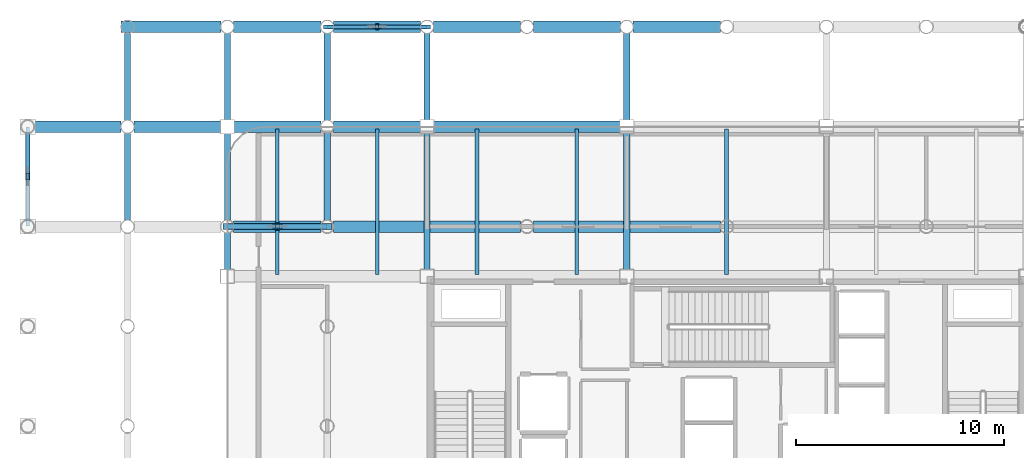
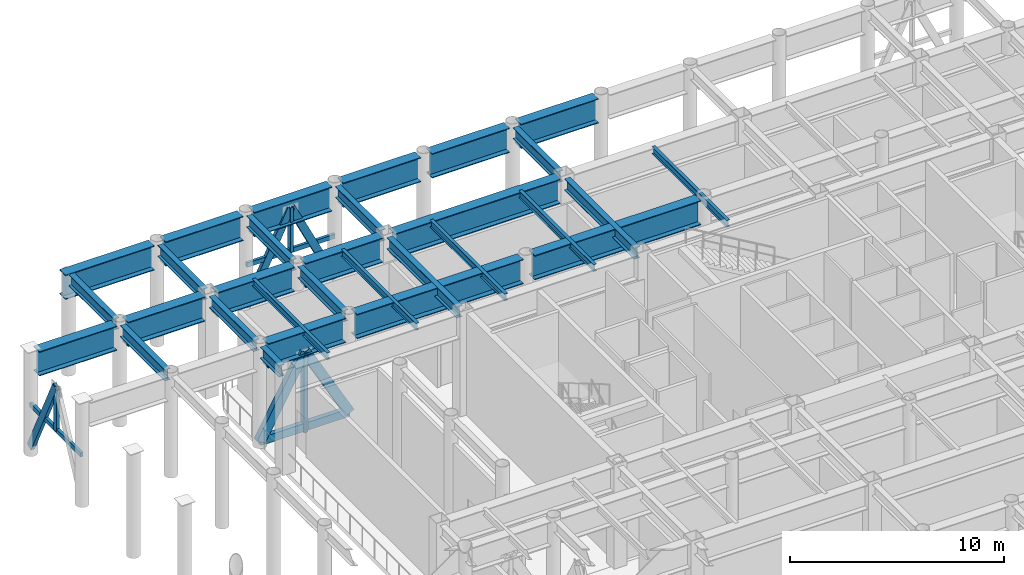
# One storey, part 9 of 20: 30 beams, 11 members.
"""IFC4 building model written with IfcOpenShell, lengths in metres."""

from ifc_helpers import new_model, si_unit, direction, frame, origin, origin_2d, place, context, subcontext, project, spatial, hollow_rectangle, i_section, extrude, material, material_profile, profile_set, type_object, element, save


model = new_model("IFC4")

# Units and contexts
model_context = context("Model", 3, precision=1e-05, world=origin(), true_north=direction((0.0, 1.0)))
body_context = subcontext(model_context, "Body", "Model", "MODEL_VIEW")
ifc_project = project(units=[si_unit("LENGTHUNIT", "METRE"), si_unit("AREAUNIT", "SQUARE_METRE"), si_unit("VOLUMEUNIT", "CUBIC_METRE"), si_unit("PLANEANGLEUNIT", "RADIAN"), si_unit("MASSUNIT", "GRAM", prefix="KILO")], contexts=[model_context])

# Site, building, storey
site_placement = place(None, origin())
site = spatial("IfcSite", under=ifc_project, at=site_placement, CompositionType="ELEMENT")
building_placement = place(site_placement, origin())
building = spatial("IfcBuilding", under=site, at=building_placement, Name="Kallvorn Hotel Tower", CompositionType="ELEMENT")
storey_placement = place(building_placement, frame((0.0, 0.0, 185.5)))
storey = spatial("IfcBuildingStorey", under=building, at=storey_placement, Name="L46", CompositionType="ELEMENT", Elevation=185.5)

# Beams
ifc_material_1 = material(Name="Structural steel S355JR", Category="steel")
ifc_material_profile_1 = material_profile(ifc_material_1, i_section(OverallWidth=0.300048828125, OverallDepth=0.64990234375, WebThickness=0.01611328125, FlangeThickness=0.031005859375, at=origin_2d()), Name="HE 650 B")
ifc_profile_set_1 = profile_set([ifc_material_profile_1], Name="Structural steel S355JR")
beam_type_1 = type_object("IfcBeamType", Name="BM_HE650B", PredefinedType="BEAM", material=ifc_profile_set_1)
for number, where, z_axis, x_axis, name in (
    (1, (-28.800048828125, 9.905029296875, 5.4951171875), (0.0, 1.0, 0.0), (-1.0, 0.0, 0.0), "L47 Primary Y-Girder 89"),
    (2, (-28.800048828125, 14.705078125, 5.4951171875), (0.0, 1.0, 0.0), (-1.0, 0.0, 0.0), "L47 Primary Y-Girder 90"),
):
    element("IfcBeam", number, at=place(storey_placement, frame(where, z_axis=z_axis, x_axis=x_axis)), inside=storey, type_object=beam_type_1, Name=name, PredefinedType="BEAM", context=body_context, shape_type="SweptSolid", body=[
        extrude(i_section(OverallWidth=0.300048828125, OverallDepth=0.64990234375, WebThickness=0.01611328125, FlangeThickness=0.031005859375, at=origin_2d()), origin(), (0.0, 0.0, 1.0), 4.18994140625),
    ])
beam_1_placement = place(storey_placement, frame((-24.0, 7.52490234375, 5.4951171875), z_axis=(0.0, 1.0, 0.0), x_axis=(-1.0, 0.0, 0.0)))
element("IfcBeam", 3, at=beam_1_placement, inside=storey, type_object=beam_type_1, Name="L47 Primary Y-Girder 95", PredefinedType="BEAM", context=body_context, shape_type="SweptSolid", body=[
    extrude(i_section(OverallWidth=0.300048828125, OverallDepth=0.64990234375, WebThickness=0.01611328125, FlangeThickness=0.031005859375, at=origin_2d()), origin(), (0.0, 0.0, 1.0), 1.77001953125),
])
for number, where, z_axis, x_axis, name in (
    (4, (-24.0, 9.905029296875, 5.4951171875), (0.0, 1.0, 0.0), (-1.0, 0.0, 0.0), "L47 Primary Y-Girder 96"),
    (5, (-24.0, 14.72509765625, 5.4951171875), (0.0, 1.0, 0.0), (-1.0, 0.0, 0.0), "L47 Primary Y-Girder 97"),
):
    element("IfcBeam", number, at=place(storey_placement, frame(where, z_axis=z_axis, x_axis=x_axis)), inside=storey, type_object=beam_type_1, Name=name, PredefinedType="BEAM", context=body_context, shape_type="SweptSolid", body=[
        extrude(i_section(OverallWidth=0.300048828125, OverallDepth=0.64990234375, WebThickness=0.01611328125, FlangeThickness=0.031005859375, at=origin_2d()), origin(), (0.0, 0.0, 1.0), 4.169921875),
    ])
for number, where, z_axis, x_axis, name in (
    (6, (-19.199951171875, 9.905029296875, 5.4951171875), (0.0, 1.0, 0.0), (-1.0, 0.0, 0.0), "L47 Primary Y-Girder 105"),
    (7, (-19.199951171875, 14.705078125, 5.4951171875), (0.0, 1.0, 0.0), (-1.0, 0.0, 0.0), "L47 Primary Y-Girder 106"),
):
    element("IfcBeam", number, at=place(storey_placement, frame(where, z_axis=z_axis, x_axis=x_axis)), inside=storey, type_object=beam_type_1, Name=name, PredefinedType="BEAM", context=body_context, shape_type="SweptSolid", body=[
        extrude(i_section(OverallWidth=0.300048828125, OverallDepth=0.64990234375, WebThickness=0.01611328125, FlangeThickness=0.031005859375, at=origin_2d()), origin(), (0.0, 0.0, 1.0), 4.18994140625),
    ])
beam_2_placement = place(storey_placement, frame((-14.39990234375, 7.52490234375, 5.4951171875), z_axis=(0.0, 1.0, 0.0), x_axis=(-1.0, 0.0, 0.0)))
element("IfcBeam", 8, at=beam_2_placement, inside=storey, type_object=beam_type_1, Name="L47 Primary Y-Girder 110", PredefinedType="BEAM", context=body_context, shape_type="SweptSolid", body=[
    extrude(i_section(OverallWidth=0.300048828125, OverallDepth=0.64990234375, WebThickness=0.01611328125, FlangeThickness=0.031005859375, at=origin_2d()), origin(), (0.0, 0.0, 1.0), 6.550048828125),
])
beam_3_placement = place(storey_placement, frame((-14.39990234375, 14.72509765625, 5.4951171875), z_axis=(0.0, 1.0, 0.0), x_axis=(-1.0, 0.0, 0.0)))
element("IfcBeam", 9, at=beam_3_placement, inside=storey, type_object=beam_type_1, Name="L47 Primary Y-Girder 111", PredefinedType="BEAM", context=body_context, shape_type="SweptSolid", body=[
    extrude(i_section(OverallWidth=0.300048828125, OverallDepth=0.64990234375, WebThickness=0.01611328125, FlangeThickness=0.031005859375, at=origin_2d()), origin(), (0.0, 0.0, 1.0), 4.169921875),
])
beam_4_placement = place(storey_placement, frame((-4.800048828125, 7.52490234375, 5.4951171875), z_axis=(0.0, 1.0, 0.0), x_axis=(-1.0, 0.0, 0.0)))
element("IfcBeam", 10, at=beam_4_placement, inside=storey, type_object=beam_type_1, Name="L47 Primary Y-Girder 118", PredefinedType="BEAM", context=body_context, shape_type="SweptSolid", body=[
    extrude(i_section(OverallWidth=0.300048828125, OverallDepth=0.64990234375, WebThickness=0.01611328125, FlangeThickness=0.031005859375, at=origin_2d()), origin(), (0.0, 0.0, 1.0), 6.550048828125),
])
beam_5_placement = place(storey_placement, frame((-4.800048828125, 14.72509765625, 5.4951171875), z_axis=(0.0, 1.0, 0.0), x_axis=(-1.0, 0.0, 0.0)))
element("IfcBeam", 11, at=beam_5_placement, inside=storey, type_object=beam_type_1, Name="L47 Primary Y-Girder 119", PredefinedType="BEAM", context=body_context, shape_type="SweptSolid", body=[
    extrude(i_section(OverallWidth=0.300048828125, OverallDepth=0.64990234375, WebThickness=0.01611328125, FlangeThickness=0.031005859375, at=origin_2d()), origin(), (0.0, 0.0, 1.0), 4.169921875),
])
ifc_material_2 = material(Name="Structural steel S355JR", Category="steel")
ifc_material_profile_2 = material_profile(ifc_material_2, i_section(OverallWidth=0.179931640625, OverallDepth=0.39990234375, WebThickness=0.008544921875, FlangeThickness=0.013427734375, at=origin_2d()), Name="IPE 400")
ifc_profile_set_2 = profile_set([ifc_material_profile_2], Name="Structural steel S355JR")
beam_type_2 = type_object("IfcBeamType", Name="BM_IPE400", PredefinedType="JOIST", material=ifc_profile_set_2)
for number, where, z_axis, x_axis, name in (
    (12, (-21.60009765625, 7.300048828125, 5.6201171875), (0.0, 1.0, 0.0), (-1.0, 0.0, 0.0), "L47 Secondary Composite Joist 202"),
    (13, (-16.800048828125, 7.300048828125, 5.6201171875), (0.0, 1.0, 0.0), (-1.0, 0.0, 0.0), "L47 Secondary Composite Joist 204"),
    (14, (-12.0, 7.300048828125, 5.6201171875), (0.0, 1.0, 0.0), (-1.0, 0.0, 0.0), "L47 Secondary Composite Joist 206"),
    (15, (-7.199951171875, 7.300048828125, 5.6201171875), (0.0, 1.0, 0.0), (-1.0, 0.0, 0.0), "L47 Secondary Composite Joist 208"),
    (16, (0.0, 7.300048828125, 5.6201171875), (0.0, 1.0, 0.0), (-1.0, 0.0, 0.0), "L47 Secondary Composite Joist 210"),
):
    element("IfcBeam", number, at=place(storey_placement, frame(where, z_axis=z_axis, x_axis=x_axis)), inside=storey, type_object=beam_type_2, Name=name, PredefinedType="JOIST", context=body_context, shape_type="SweptSolid", body=[
        extrude(i_section(OverallWidth=0.179931640625, OverallDepth=0.39990234375, WebThickness=0.008544921875, FlangeThickness=0.013427734375, at=origin_2d()), origin(), (0.0, 0.0, 1.0), 7.0),
    ])
ifc_material_3 = material(Name="Structural steel S355JR", Category="steel")
ifc_material_profile_3 = material_profile(ifc_material_3, i_section(OverallWidth=0.550048828125, OverallDepth=1.39990234375, WebThickness=0.02490234375, FlangeThickness=0.044921875, at=origin_2d()), Name="PG 1400x550x25x45")
ifc_profile_set_3 = profile_set([ifc_material_profile_3], Name="Structural steel S355JR")
beam_type_3 = type_object("IfcBeamType", Name="BM_PG_1400", PredefinedType="BEAM", material=ifc_profile_set_3)
beam_6_placement = place(storey_placement, frame((-23.695068359375, 9.60009765625, 5.1201171875), z_axis=(1.0, 0.0, 0.0), x_axis=(0.0, 1.0, 0.0)))
element("IfcBeam", 17, at=beam_6_placement, inside=storey, type_object=beam_type_3, Name="L47 Primary X-Girder 53", PredefinedType="BEAM", context=body_context, shape_type="SweptSolid", body=[
    extrude(i_section(OverallWidth=0.550048828125, OverallDepth=1.39990234375, WebThickness=0.02490234375, FlangeThickness=0.044921875, at=origin_2d()), origin(), (0.0, 0.0, 1.0), 4.190185546875),
])
for number, where, z_axis, x_axis, name in (
    (18, (-18.89501953125, 9.60009765625, 5.1201171875), (1.0, 0.0, 0.0), (0.0, 1.0, 0.0), "L47 Primary X-Girder 54"),
    (19, (-9.294921875, 9.60009765625, 5.1201171875), (1.0, 0.0, 0.0), (0.0, 1.0, 0.0), "L47 Primary X-Girder 55"),
):
    element("IfcBeam", number, at=place(storey_placement, frame(where, z_axis=z_axis, x_axis=x_axis)), inside=storey, type_object=beam_type_3, Name=name, PredefinedType="BEAM", context=body_context, shape_type="SweptSolid", body=[
        extrude(i_section(OverallWidth=0.550048828125, OverallDepth=1.39990234375, WebThickness=0.02490234375, FlangeThickness=0.044921875, at=origin_2d()), origin(), (0.0, 0.0, 1.0), 8.989990234375),
    ])
beam_7_placement = place(storey_placement, frame((-33.294921875, 14.39990234375, 5.1201171875), z_axis=(1.0, 0.0, 0.0), x_axis=(0.0, 1.0, 0.0)))
element("IfcBeam", 20, at=beam_7_placement, inside=storey, type_object=beam_type_3, Name="L47 Primary X-Girder 60", PredefinedType="BEAM", context=body_context, shape_type="SweptSolid", body=[
    extrude(i_section(OverallWidth=0.550048828125, OverallDepth=1.39990234375, WebThickness=0.02490234375, FlangeThickness=0.044921875, at=origin_2d()), origin(), (0.0, 0.0, 1.0), 4.18994140625),
])
for number, where, z_axis, x_axis, name in (
    (21, (-28.4951171875, 14.39990234375, 5.1201171875), (1.0, 0.0, 0.0), (0.0, 1.0, 0.0), "L47 Primary X-Girder 61"),
    (22, (-23.675048828125, 14.39990234375, 5.1201171875), (1.0, 0.0, 0.0), (0.0, 1.0, 0.0), "L47 Primary X-Girder 62"),
):
    element("IfcBeam", number, at=place(storey_placement, frame(where, z_axis=z_axis, x_axis=x_axis)), inside=storey, type_object=beam_type_3, Name=name, PredefinedType="BEAM", context=body_context, shape_type="SweptSolid", body=[
        extrude(i_section(OverallWidth=0.550048828125, OverallDepth=1.39990234375, WebThickness=0.02490234375, FlangeThickness=0.044921875, at=origin_2d()), origin(), (0.0, 0.0, 1.0), 4.170166015625),
    ])
beam_8_placement = place(storey_placement, frame((-18.89501953125, 14.39990234375, 5.1201171875), z_axis=(1.0, 0.0, 0.0), x_axis=(0.0, 1.0, 0.0)))
element("IfcBeam", 23, at=beam_8_placement, inside=storey, type_object=beam_type_3, Name="L47 Primary X-Girder 63", PredefinedType="BEAM", context=body_context, shape_type="SweptSolid", body=[
    extrude(i_section(OverallWidth=0.550048828125, OverallDepth=1.39990234375, WebThickness=0.02490234375, FlangeThickness=0.044921875, at=origin_2d()), origin(), (0.0, 0.0, 1.0), 4.169921875),
])
beam_9_placement = place(storey_placement, frame((-14.074951171875, 14.39990234375, 5.1201171875), z_axis=(1.0, 0.0, 0.0), x_axis=(0.0, 1.0, 0.0)))
element("IfcBeam", 24, at=beam_9_placement, inside=storey, type_object=beam_type_3, Name="L47 Primary X-Girder 64", PredefinedType="BEAM", context=body_context, shape_type="SweptSolid", body=[
    extrude(i_section(OverallWidth=0.550048828125, OverallDepth=1.39990234375, WebThickness=0.02490234375, FlangeThickness=0.044921875, at=origin_2d()), origin(), (0.0, 0.0, 1.0), 8.949951171875),
])
beam_10_placement = place(storey_placement, frame((-29.1201171875, 19.199951171875, 5.1201171875), z_axis=(1.0, 0.0, 0.0), x_axis=(0.0, 1.0, 0.0)))
element("IfcBeam", 25, at=beam_10_placement, inside=storey, type_object=beam_type_3, Name="L47 Primary X-Girder 70", PredefinedType="BEAM", context=body_context, shape_type="SweptSolid", body=[
    extrude(i_section(OverallWidth=0.550048828125, OverallDepth=1.39990234375, WebThickness=0.02490234375, FlangeThickness=0.044921875, at=origin_2d()), origin(), (0.0, 0.0, 1.0), 4.815185546875),
])
beam_11_placement = place(storey_placement, frame((-23.695068359375, 19.199951171875, 5.1201171875), z_axis=(1.0, 0.0, 0.0), x_axis=(0.0, 1.0, 0.0)))
element("IfcBeam", 26, at=beam_11_placement, inside=storey, type_object=beam_type_3, Name="L47 Primary X-Girder 71", PredefinedType="BEAM", context=body_context, shape_type="SweptSolid", body=[
    extrude(i_section(OverallWidth=0.550048828125, OverallDepth=1.39990234375, WebThickness=0.02490234375, FlangeThickness=0.044921875, at=origin_2d()), origin(), (0.0, 0.0, 1.0), 4.190185546875),
])
for number, where, z_axis, x_axis, name in (
    (27, (-18.89501953125, 19.199951171875, 5.1201171875), (1.0, 0.0, 0.0), (0.0, 1.0, 0.0), "L47 Primary X-Girder 72"),
    (28, (-14.094970703125, 19.199951171875, 5.1201171875), (1.0, 0.0, 0.0), (0.0, 1.0, 0.0), "L47 Primary X-Girder 73"),
    (29, (-9.294921875, 19.199951171875, 5.1201171875), (1.0, 0.0, 0.0), (0.0, 1.0, 0.0), "L47 Primary X-Girder 74"),
):
    element("IfcBeam", number, at=place(storey_placement, frame(where, z_axis=z_axis, x_axis=x_axis)), inside=storey, type_object=beam_type_3, Name=name, PredefinedType="BEAM", context=body_context, shape_type="SweptSolid", body=[
        extrude(i_section(OverallWidth=0.550048828125, OverallDepth=1.39990234375, WebThickness=0.02490234375, FlangeThickness=0.044921875, at=origin_2d()), origin(), (0.0, 0.0, 1.0), 4.18994140625),
    ])
beam_12_placement = place(storey_placement, frame((-4.4951171875, 19.199951171875, 5.1201171875), z_axis=(1.0, 0.0, 0.0), x_axis=(0.0, 1.0, 0.0)))
element("IfcBeam", 30, at=beam_12_placement, inside=storey, type_object=beam_type_3, Name="L47 Primary X-Girder 75", PredefinedType="BEAM", context=body_context, shape_type="SweptSolid", body=[
    extrude(i_section(OverallWidth=0.550048828125, OverallDepth=1.39990234375, WebThickness=0.02490234375, FlangeThickness=0.044921875, at=origin_2d()), origin(), (0.0, 0.0, 1.0), 4.190185546875),
])

# Members
ifc_material_4 = material(Name="Structural steel S355J2H", Category="steel")
ifc_material_profile_4 = material_profile(ifc_material_4, hollow_rectangle(XDim=0.199951171875, YDim=0.39990234375, WallThickness=0.02001953125, at=origin_2d()), Name="RHS 400x200x20")
ifc_profile_set_4 = profile_set([ifc_material_profile_4], Name="Structural steel S355J2H")
member_type_1 = type_object("IfcMemberType", Name="MBR_BELT_RHS400", PredefinedType="BRACE", material=ifc_profile_set_4)
member_1_placement = place(storey_placement, frame((-19.191162109375, 19.199951171875, 0.367919921875), z_axis=(0.439131031257, 0.0, 0.898423028081), x_axis=(0.0, 1.0, 0.0)))
element("IfcMember", 31, at=member_1_placement, inside=storey, type_object=member_type_1, Name="L46 Belt Truss Diagonal 3A", PredefinedType="BRACE", context=body_context, shape_type="SweptSolid", body=[
    extrude(hollow_rectangle(XDim=0.199951171875, YDim=0.39990234375, WallThickness=0.02001953125, at=origin_2d()), origin(), (0.0, 0.0, 1.0), 5.425048828125),
])
member_2_placement = place(storey_placement, frame((-14.40869140625, 19.199951171875, 0.367919921875), z_axis=(-0.439167354297, 0.0, 0.898405273203), x_axis=(0.0, -1.0, 0.0)))
element("IfcMember", 32, at=member_2_placement, inside=storey, type_object=member_type_1, Name="L46 Belt Truss Diagonal 3B", PredefinedType="BRACE", context=body_context, shape_type="SweptSolid", body=[
    extrude(hollow_rectangle(XDim=0.199951171875, YDim=0.39990234375, WallThickness=0.02001953125, at=origin_2d()), origin(), (0.0, 0.0, 1.0), 5.42529296875),
])
member_3_placement = place(storey_placement, frame((-33.60009765625, 14.39111328125, 0.367919921875), z_axis=(0.0, -0.439131031257, 0.898423028081), x_axis=(1.0, 0.0, 0.0)))
element("IfcMember", 33, at=member_3_placement, inside=storey, type_object=member_type_1, Name="L46 Belt Truss Diagonal 6B", PredefinedType="BRACE", context=body_context, shape_type="SweptSolid", body=[
    extrude(hollow_rectangle(XDim=0.199951171875, YDim=0.39990234375, WallThickness=0.02001953125, at=origin_2d()), origin(), (0.0, 0.0, 1.0), 5.425048828125),
])
ifc_material_5 = material(Name="Structural steel S355J2H", Category="steel")
ifc_material_profile_5 = material_profile(ifc_material_5, hollow_rectangle(XDim=0.25, YDim=0.449951171875, WallThickness=0.02197265625, at=origin_2d()), Name="RHS 450x250x22")
ifc_profile_set_5 = profile_set([ifc_material_profile_5], Name="Structural steel S355J2H")
member_type_2 = type_object("IfcMemberType", Name="MBR_CHORD_RHS450", PredefinedType="CHORD", material=ifc_profile_set_5)
member_4_placement = place(storey_placement, frame((-24.0, 9.60009765625, 0.239990234375), z_axis=(1.0, 0.0, 0.0), x_axis=(0.0, 1.0, 0.0)))
element("IfcMember", 34, at=member_4_placement, inside=storey, type_object=member_type_2, Name="L46 Outrigger Truss Bottom Chord OTW2", PredefinedType="CHORD", context=body_context, shape_type="SweptSolid", body=[
    extrude(hollow_rectangle(XDim=0.25, YDim=0.449951171875, WallThickness=0.02197265625, at=origin_2d()), origin(), (0.0, 0.0, 1.0), 4.800048828125),
])
ifc_material_6 = material(Name="Structural steel S355J2H", Category="steel")
ifc_material_profile_6 = material_profile(ifc_material_6, hollow_rectangle(XDim=0.14990234375, YDim=0.25, WallThickness=0.010009765625, at=origin_2d()), Name="RHS 250x150x10")
ifc_profile_set_6 = profile_set([ifc_material_profile_6], Name="Structural steel S355J2H")
member_type_3 = type_object("IfcMemberType", Name="MBR_COLLAR_RHS250", PredefinedType="COLLAR", material=ifc_profile_set_6)
member_5_placement = place(storey_placement, frame((-19.179931640625, 19.199951171875, 2.784912109375), z_axis=(1.0, 0.0, 0.0), x_axis=(0.0, 1.0, 0.0)))
element("IfcMember", 35, at=member_5_placement, inside=storey, type_object=member_type_3, Name="L46 Belt Truss Tie Collar 3", PredefinedType="COLLAR", context=body_context, shape_type="SweptSolid", body=[
    extrude(hollow_rectangle(XDim=0.14990234375, YDim=0.25, WallThickness=0.010009765625, at=origin_2d()), origin(), (0.0, 0.0, 1.0), 4.760009765625),
])
member_6_placement = place(storey_placement, frame((-33.60009765625, 9.6201171875, 2.784912109375), z_axis=(0.0, 1.0, 0.0), x_axis=(-1.0, 0.0, 0.0)))
element("IfcMember", 36, at=member_6_placement, inside=storey, type_object=member_type_3, Name="L46 Belt Truss Tie Collar 6", PredefinedType="COLLAR", context=body_context, shape_type="SweptSolid", body=[
    extrude(hollow_rectangle(XDim=0.14990234375, YDim=0.25, WallThickness=0.010009765625, at=origin_2d()), origin(), (0.0, 0.0, 1.0), 4.759765625),
])
ifc_material_7 = material(Name="Structural steel S355J2H", Category="steel")
ifc_material_profile_7 = material_profile(ifc_material_7, hollow_rectangle(XDim=0.300048828125, YDim=0.5, WallThickness=0.02490234375, at=origin_2d()), Name="RHS 500x300x25")
ifc_profile_set_7 = profile_set([ifc_material_profile_7], Name="Structural steel S355J2H")
member_type_4 = type_object("IfcMemberType", Name="MBR_OUTRIGGER_RHS500", PredefinedType="BRACE", material=ifc_profile_set_7)
member_7_placement = place(storey_placement, frame((-24.0, 9.60009765625, 0.239990234375), z_axis=(0.485621958479, 0.0, 0.874168927292), x_axis=(0.0, 1.0, 0.0)))
element("IfcMember", 37, at=member_7_placement, inside=storey, type_object=member_type_4, Name="L46 Outrigger Truss Diagonal OTW2A", PredefinedType="BRACE", context=body_context, shape_type="SweptSolid", body=[
    extrude(hollow_rectangle(XDim=0.300048828125, YDim=0.5, WallThickness=0.02490234375, at=origin_2d()), origin(), (0.0, 0.0, 1.0), 4.94189453125),
])
member_8_placement = place(storey_placement, frame((-19.199951171875, 9.60009765625, 0.239990234375), z_axis=(-0.485659708735, 0.0, 0.874147955046), x_axis=(0.0, -1.0, 0.0)))
element("IfcMember", 38, at=member_8_placement, inside=storey, type_object=member_type_4, Name="L46 Outrigger Truss Diagonal OTW2B", PredefinedType="BRACE", context=body_context, shape_type="SweptSolid", body=[
    extrude(hollow_rectangle(XDim=0.300048828125, YDim=0.5, WallThickness=0.02490234375, at=origin_2d()), origin(), (0.0, 0.0, 1.0), 4.942138671875),
])
ifc_material_8 = material(Name="Structural steel S355J2H", Category="steel")
ifc_material_profile_8 = material_profile(ifc_material_8, hollow_rectangle(XDim=0.199951171875, YDim=0.35009765625, WallThickness=0.01611328125, at=origin_2d()), Name="RHS 350x200x16")
ifc_profile_set_8 = profile_set([ifc_material_profile_8], Name="Structural steel S355J2H")
member_type_5 = type_object("IfcMemberType", Name="MBR_POST_RHS350", PredefinedType="POST", material=ifc_profile_set_8)
member_9_placement = place(storey_placement, frame((-21.60009765625, 9.60009765625, -0.0400390625), z_axis=(0.0, 0.0, 1.0), x_axis=(1.0, 0.0, 0.0)))
element("IfcMember", 39, at=member_9_placement, inside=storey, type_object=member_type_5, Name="L46 Outrigger Truss Post OTW2", PredefinedType="POST", context=body_context, shape_type="SweptSolid", body=[
    extrude(hollow_rectangle(XDim=0.199951171875, YDim=0.35009765625, WallThickness=0.01611328125, at=origin_2d()), origin(), (0.0, 0.0, 1.0), 4.5400390625),
])
ifc_material_9 = material(Name="Structural steel S355J2H", Category="steel")
ifc_material_profile_9 = material_profile(ifc_material_9, hollow_rectangle(XDim=0.14990234375, YDim=0.300048828125, WallThickness=0.012451171875, at=origin_2d()), Name="RHS 300x150x12.5")
ifc_profile_set_9 = profile_set([ifc_material_profile_9], Name="Structural steel S355J2H")
member_type_6 = type_object("IfcMemberType", Name="MBR_STRUT_RHS300", PredefinedType="STRUT", material=ifc_profile_set_9)
for number, where, z_axis, x_axis, name in (
    (40, (-16.800048828125, 19.199951171875, 2.735107421875), (0.0, 0.0, 1.0), (1.0, 0.0, 0.0), "L46 Belt Truss Strut 3"),
    (41, (-33.60009765625, 12.0, 2.735107421875), (0.0, 0.0, 1.0), (1.0, 0.0, 0.0), "L46 Belt Truss Strut 6"),
):
    element("IfcMember", number, at=place(storey_placement, frame(where, z_axis=z_axis, x_axis=x_axis)), inside=storey, type_object=member_type_6, Name=name, PredefinedType="STRUT", context=body_context, shape_type="SweptSolid", body=[
        extrude(hollow_rectangle(XDim=0.14990234375, YDim=0.300048828125, WallThickness=0.012451171875, at=origin_2d()), origin(), (0.0, 0.0, 1.0), 2.56494140625),
    ])

save(model, "model.ifc")
